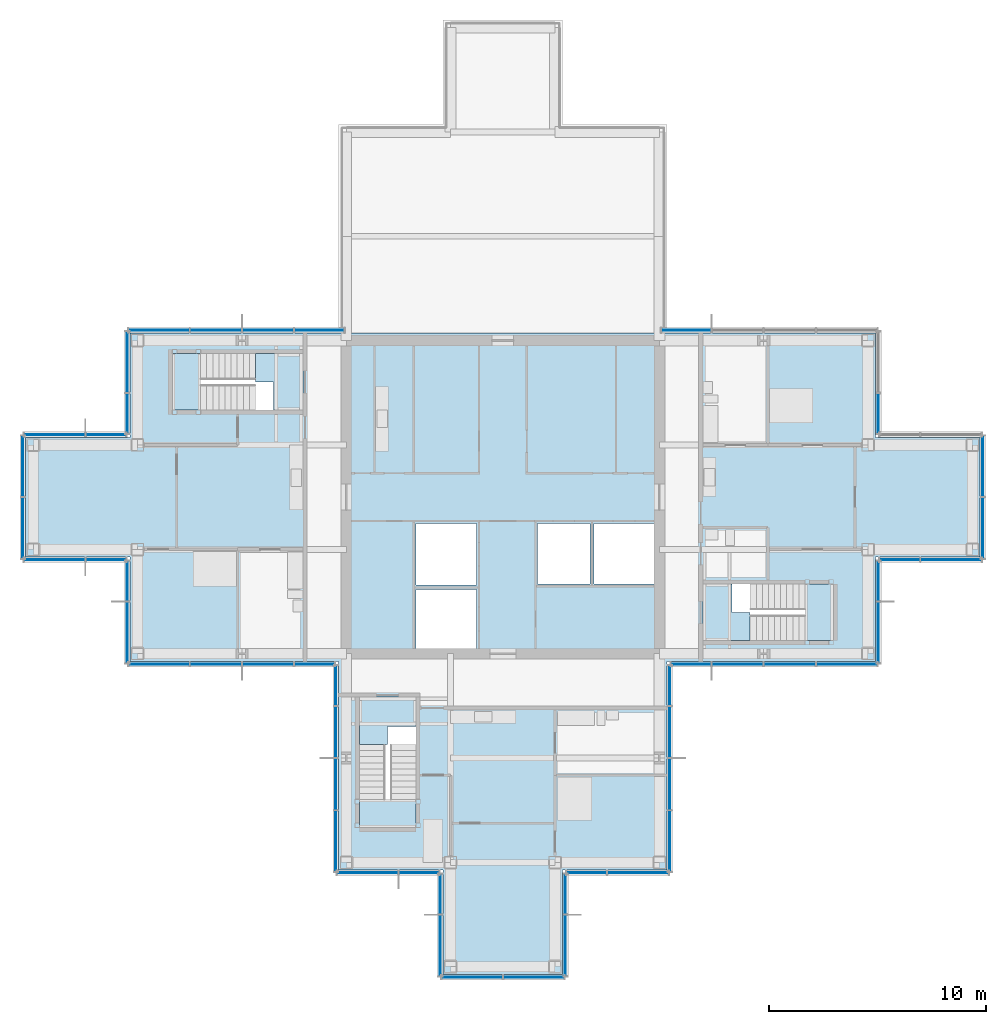
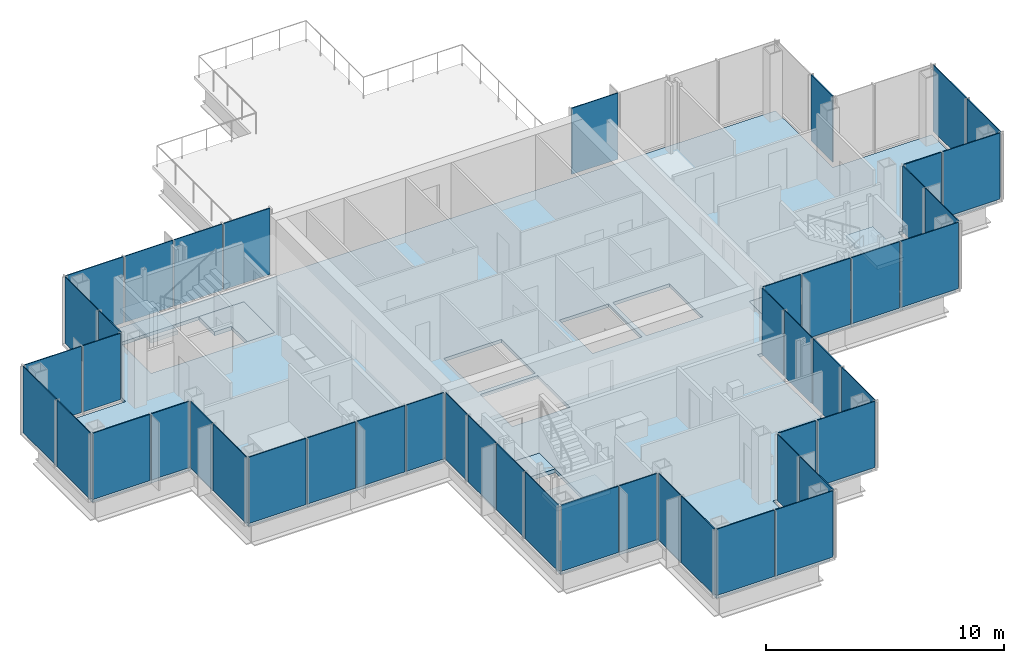
# One storey, part 8 of 14: 48 plates, 7 slabs, 23 elements without a shape of their own.
"""IFC4 building model written with IfcOpenShell, lengths in metres."""

from ifc_helpers import new_model, si_unit, direction, frame, origin, origin_2d, place, context, subcontext, project, spatial, polyline, rectangle, outline, extrude, material, layer, layer_set, type_object, element, aggregate, save


model = new_model("IFC4")

# Units and contexts
model_context = context("Model", 3, precision=1e-05, world=origin(), true_north=direction((0.0, 1.0)))
body_context = subcontext(model_context, "Body", "Model", "MODEL_VIEW")
ifc_project = project(units=[si_unit("LENGTHUNIT", "METRE"), si_unit("AREAUNIT", "SQUARE_METRE"), si_unit("VOLUMEUNIT", "CUBIC_METRE"), si_unit("PLANEANGLEUNIT", "RADIAN"), si_unit("MASSUNIT", "GRAM", prefix="KILO")], contexts=[model_context])

# Site, building, storey
site_placement = place(None, origin())
site = spatial("IfcSite", under=ifc_project, at=site_placement, CompositionType="ELEMENT")
building_placement = place(site_placement, origin())
building = spatial("IfcBuilding", under=site, at=building_placement, Name="Kvirike Care Tower", CompositionType="ELEMENT")
storey_placement = place(building_placement, frame((0.0, 0.0, 194.5)))
storey = spatial("IfcBuildingStorey", under=building, at=storey_placement, Name="L53", CompositionType="ELEMENT", Elevation=194.5)

# Slab
ifc_material_1 = material(Name="Concrete C35/45", Category="concrete")
ifc_layer_1 = layer(ifc_material_1, 0.169921875)
ifc_layer_set_1 = layer_set([ifc_layer_1], Name="FLOOR SLAB 170")
slab_type_1 = type_object("IfcSlabType", Name="FLOOR SLAB 170", PredefinedType="FLOOR", material=ifc_layer_set_1)
slab_1_placement = place(storey_placement, frame((0.0, 0.0, -0.169921875)))
element("IfcSlab", 1, at=slab_1_placement, inside=storey, type_object=slab_type_1, Name="Floor slab L53", PredefinedType="FLOOR", context=body_context, shape_type="SweptSolid", body=[
    extrude(outline(polyline([(29.14990234375, 28.449951171875), (38.75, 28.449951171875), (38.75, 33.25), (43.550048828125, 33.25), (43.550048828125, 38.75), (38.75, 38.75), (38.75, 43.550048828125), (4.449951171875, 43.550048828125), (4.449951171875, 38.75), (-0.35009765625, 38.75), (-0.35009765625, 33.25), (4.449951171875, 33.25), (4.449951171875, 28.449951171875), (14.050048828125, 28.449951171875), (14.050048828125, 18.85009765625), (18.85009765625, 18.85009765625), (18.85009765625, 14.050048828125), (24.35009765625, 14.050048828125), (24.35009765625, 18.85009765625), (29.14990234375, 18.85009765625), (29.14990234375, 28.449951171875)]), holes=[polyline([(17.60009765625, 29.050048828125), (17.60009765625, 31.75), (20.39990234375, 31.75), (20.39990234375, 29.050048828125), (17.60009765625, 29.050048828125)]), polyline([(17.60009765625, 31.949951171875), (17.60009765625, 34.800048828125), (20.39990234375, 34.800048828125), (20.39990234375, 31.949951171875), (17.60009765625, 31.949951171875)]), polyline([(23.199951171875, 32.0), (23.199951171875, 34.800048828125), (25.60009765625, 34.800048828125), (25.60009765625, 32.0), (23.199951171875, 32.0)]), polyline([(25.800048828125, 32.0), (25.800048828125, 34.800048828125), (28.550048828125, 34.800048828125), (28.550048828125, 32.0), (25.800048828125, 32.0)]), polyline([(12.39990234375, 42.60009765625), (12.39990234375, 40.0), (6.39990234375, 40.0), (6.39990234375, 42.60009765625), (12.39990234375, 42.60009765625)]), polyline([(30.800048828125, 29.39990234375), (30.800048828125, 32.0), (36.800048828125, 32.0), (36.800048828125, 29.39990234375), (30.800048828125, 29.39990234375)]), polyline([(15.0, 26.800048828125), (17.60009765625, 26.800048828125), (17.60009765625, 20.800048828125), (15.0, 20.800048828125), (15.0, 26.800048828125)])]), origin(), (0.0, 0.0, 1.0), 0.169921875),
])

# Stair, slabs
ifc_material_2 = material(Name="Concrete C35/45", Category="concrete")
stair_type = type_object("IfcStairType", Name="STAIR 20 RISERS", PredefinedType="HALF_TURN_STAIR", material=ifc_material_2)
stair_1_placement = place(storey_placement, origin())
stair_1 = element("IfcStair", 2, at=stair_1_placement, inside=storey, type_object=stair_type, Name="Stair 1 L53", PredefinedType="HALF_TURN_STAIR")
ifc_material_3 = material(Name="Concrete C35/45", Category="concrete")
ifc_layer_2 = layer(ifc_material_3, 0.199951171875)
ifc_layer_set_2 = layer_set([ifc_layer_2], Name="STAIR LANDING 200")
slab_type_2 = type_object("IfcSlabType", Name="STAIR LANDING 200", PredefinedType="LANDING", material=ifc_layer_set_2)
slab_2_placement = place(storey_placement, frame((0.0, 0.0, -0.199951171875)))
slab_2 = element("IfcSlab", 3, at=slab_2_placement, type_object=slab_type_2, Name="Stair S1 floor landing L53", PredefinedType="LANDING", context=body_context, shape_type="SweptSolid", body=[
    extrude(outline(polyline([(10.219970703125, 42.60009765625), (10.219970703125, 41.300048828125), (11.06005859375, 41.300048828125), (11.06005859375, 40.0), (12.39990234375, 40.0), (12.39990234375, 42.60009765625), (10.219970703125, 42.60009765625)])), origin(), (0.0, 0.0, 1.0), 0.199951171875),
])
slab_3_placement = place(storey_placement, frame((0.0, 0.0, 1.550048828125)))
slab_3 = element("IfcSlab", 4, at=slab_3_placement, type_object=slab_type_2, Name="Stair S1 half landing L53-L54", PredefinedType="LANDING", context=body_context, shape_type="SweptSolid", body=[
    extrude(outline(polyline([(6.39990234375, 42.60009765625), (6.39990234375, 40.0), (7.699951171875, 40.0), (7.699951171875, 42.60009765625), (6.39990234375, 42.60009765625)])), origin(), (0.0, 0.0, 1.0), 0.199951171875),
])
aggregate(stair_1, [slab_2, slab_3])

stair_2_placement = place(storey_placement, origin())
stair_2 = element("IfcStair", 5, at=stair_2_placement, inside=storey, type_object=stair_type, Name="Stair 2 L53", PredefinedType="HALF_TURN_STAIR")
slab_4_placement = place(storey_placement, frame((0.0, 0.0, -0.199951171875)))
slab_4 = element("IfcSlab", 6, at=slab_4_placement, type_object=slab_type_2, Name="Stair S2 floor landing L53", PredefinedType="LANDING", context=body_context, shape_type="SweptSolid", body=[
    extrude(outline(polyline([(32.97998046875, 29.39990234375), (32.97998046875, 30.699951171875), (32.139892578125, 30.699951171875), (32.139892578125, 32.0), (30.800048828125, 32.0), (30.800048828125, 29.39990234375), (32.97998046875, 29.39990234375)])), origin(), (0.0, 0.0, 1.0), 0.199951171875),
])
slab_5_placement = place(storey_placement, frame((0.0, 0.0, 1.550048828125)))
slab_5 = element("IfcSlab", 7, at=slab_5_placement, type_object=slab_type_2, Name="Stair S2 half landing L53-L54", PredefinedType="LANDING", context=body_context, shape_type="SweptSolid", body=[
    extrude(outline(polyline([(36.800048828125, 29.39990234375), (36.800048828125, 32.0), (35.5, 32.0), (35.5, 29.39990234375), (36.800048828125, 29.39990234375)])), origin(), (0.0, 0.0, 1.0), 0.199951171875),
])
aggregate(stair_2, [slab_4, slab_5])

stair_3_placement = place(storey_placement, origin())
stair_3 = element("IfcStair", 8, at=stair_3_placement, inside=storey, type_object=stair_type, Name="Stair 5 L53", PredefinedType="HALF_TURN_STAIR")
slab_6_placement = place(storey_placement, frame((0.0, 0.0, -0.199951171875)))
slab_6 = element("IfcSlab", 9, at=slab_6_placement, type_object=slab_type_2, Name="Stair S5 floor landing L53", PredefinedType="LANDING", context=body_context, shape_type="SweptSolid", body=[
    extrude(outline(polyline([(15.0, 24.6201171875), (16.300048828125, 24.6201171875), (16.300048828125, 25.4599609375), (17.60009765625, 25.4599609375), (17.60009765625, 26.800048828125), (15.0, 26.800048828125), (15.0, 24.6201171875)])), origin(), (0.0, 0.0, 1.0), 0.199951171875),
])
slab_7_placement = place(storey_placement, frame((0.0, 0.0, 1.550048828125)))
slab_7 = element("IfcSlab", 10, at=slab_7_placement, type_object=slab_type_2, Name="Stair S5 half landing L53-L54", PredefinedType="LANDING", context=body_context, shape_type="SweptSolid", body=[
    extrude(outline(polyline([(15.0, 20.800048828125), (17.60009765625, 20.800048828125), (17.60009765625, 22.10009765625), (15.0, 22.10009765625), (15.0, 20.800048828125)])), origin(), (0.0, 0.0, 1.0), 0.199951171875),
])
aggregate(stair_3, [slab_6, slab_7])

# Curtain wall, plates
ifc_material_4 = material(Name="Anodised aluminium stick system", Category="aluminium")
curtain_wall_type = type_object("IfcCurtainWallType", Name="CW-D STICK CURTAIN WALL", PredefinedType="NOTDEFINED", material=ifc_material_4)
curtain_wall_1_placement = place(storey_placement, origin())
curtain_wall_1 = element("IfcCurtainWall", 11, at=curtain_wall_1_placement, inside=storey, type_object=curtain_wall_type, Name="Curtain wall L53 face 1", PredefinedType="NOTDEFINED")
ifc_material_5 = material(Name="Tinted double glazed unit", Category="glass")
ifc_layer_3 = layer(ifc_material_5, 0.0439453125)
ifc_layer_set_3 = layer_set([ifc_layer_3], Name="TINTED VISION PANEL 44")
plate_type = type_object("IfcPlateType", Name="TINTED VISION PANEL 44", PredefinedType="CURTAIN_PANEL", material=ifc_layer_set_3)
plate_1_placement = place(storey_placement, frame((30.25634765625, 28.320068359375, 0.10009765625), z_axis=(0.0, 0.0, 1.0), x_axis=(1.0, 0.0, 0.0)))
plate_1 = element("IfcPlate", 12, at=plate_1_placement, type_object=plate_type, Name="CW-D panel L53 face 1.1", PredefinedType="CURTAIN_PANEL", context=body_context, shape_type="SweptSolid", body=[
    extrude(rectangle(XDim=1.822509765625, YDim=0.0439453125, at=origin_2d()), origin(), (0.0, 0.0, 1.0), 3.39990234375),
])
plate_2_placement = place(storey_placement, frame((32.39990234375, 28.320068359375, 0.10009765625), z_axis=(0.0, 0.0, 1.0), x_axis=(1.0, 0.0, 0.0)))
plate_2 = element("IfcPlate", 13, at=plate_2_placement, type_object=plate_type, Name="CW-D panel L53 face 1.2", PredefinedType="CURTAIN_PANEL", context=body_context, shape_type="SweptSolid", body=[
    extrude(rectangle(XDim=2.3349609375, YDim=0.0439453125, at=origin_2d()), origin(), (0.0, 0.0, 1.0), 3.39990234375),
])
plate_3_placement = place(storey_placement, frame((34.800048828125, 28.320068359375, 0.10009765625), z_axis=(0.0, 0.0, 1.0), x_axis=(1.0, 0.0, 0.0)))
plate_3 = element("IfcPlate", 14, at=plate_3_placement, type_object=plate_type, Name="CW-D panel L53 face 1.3", PredefinedType="CURTAIN_PANEL", context=body_context, shape_type="SweptSolid", body=[
    extrude(rectangle(XDim=2.3349609375, YDim=0.0439453125, at=origin_2d()), origin(), (0.0, 0.0, 1.0), 3.39990234375),
])
plate_4_placement = place(storey_placement, frame((37.423828125, 28.320068359375, 0.10009765625), z_axis=(0.0, 0.0, 1.0), x_axis=(1.0, 0.0, 0.0)))
plate_4 = element("IfcPlate", 15, at=plate_4_placement, type_object=plate_type, Name="CW-D panel L53 face 1.4", PredefinedType="CURTAIN_PANEL", context=body_context, shape_type="SweptSolid", body=[
    extrude(rectangle(XDim=2.782470703125, YDim=0.0439453125, at=origin_2d()), origin(), (0.0, 0.0, 1.0), 3.39990234375),
])
aggregate(curtain_wall_1, [plate_1, plate_2, plate_3, plate_4])

curtain_wall_2_placement = place(storey_placement, origin())
curtain_wall_2 = element("IfcCurtainWall", 16, at=curtain_wall_2_placement, inside=storey, type_object=curtain_wall_type, Name="Curtain wall L53 face 2", PredefinedType="NOTDEFINED")
plate_5_placement = place(storey_placement, frame((38.8798828125, 29.7763671875, 0.10009765625), z_axis=(0.0, 0.0, 1.0), x_axis=(0.0, 1.0, 0.0)))
plate_5 = element("IfcPlate", 17, at=plate_5_placement, type_object=plate_type, Name="CW-D panel L53 face 2.1", PredefinedType="CURTAIN_PANEL", context=body_context, shape_type="SweptSolid", body=[
    extrude(rectangle(XDim=2.782470703125, YDim=0.0439453125, at=origin_2d()), origin(), (0.0, 0.0, 1.0), 3.39990234375),
])
plate_6_placement = place(storey_placement, frame((38.8798828125, 32.143798828125, 0.10009765625), z_axis=(0.0, 0.0, 1.0), x_axis=(0.0, 1.0, 0.0)))
plate_6 = element("IfcPlate", 18, at=plate_6_placement, type_object=plate_type, Name="CW-D panel L53 face 2.2", PredefinedType="CURTAIN_PANEL", context=body_context, shape_type="SweptSolid", body=[
    extrude(rectangle(XDim=1.822509765625, YDim=0.0439453125, at=origin_2d()), origin(), (0.0, 0.0, 1.0), 3.39990234375),
])
aggregate(curtain_wall_2, [plate_5, plate_6])

curtain_wall_3_placement = place(storey_placement, origin())
curtain_wall_3 = element("IfcCurtainWall", 19, at=curtain_wall_3_placement, inside=storey, type_object=curtain_wall_type, Name="Curtain wall L53 face 3", PredefinedType="NOTDEFINED")
plate_7_placement = place(storey_placement, frame((39.856201171875, 33.1201171875, 0.10009765625), z_axis=(0.0, 0.0, 1.0), x_axis=(1.0, 0.0, 0.0)))
plate_7 = element("IfcPlate", 20, at=plate_7_placement, type_object=plate_type, Name="CW-D panel L53 face 3.1", PredefinedType="CURTAIN_PANEL", context=body_context, shape_type="SweptSolid", body=[
    extrude(rectangle(XDim=1.822509765625, YDim=0.0439453125, at=origin_2d()), origin(), (0.0, 0.0, 1.0), 3.39990234375),
])
plate_8_placement = place(storey_placement, frame((42.2236328125, 33.1201171875, 0.10009765625), z_axis=(0.0, 0.0, 1.0), x_axis=(1.0, 0.0, 0.0)))
plate_8 = element("IfcPlate", 21, at=plate_8_placement, type_object=plate_type, Name="CW-D panel L53 face 3.2", PredefinedType="CURTAIN_PANEL", context=body_context, shape_type="SweptSolid", body=[
    extrude(rectangle(XDim=2.782470703125, YDim=0.0439453125, at=origin_2d()), origin(), (0.0, 0.0, 1.0), 3.39990234375),
])
aggregate(curtain_wall_3, [plate_7, plate_8])

curtain_wall_4_placement = place(storey_placement, origin())
curtain_wall_4 = element("IfcCurtainWall", 22, at=curtain_wall_4_placement, inside=storey, type_object=curtain_wall_type, Name="Curtain wall L53 face 4", PredefinedType="NOTDEFINED")
plate_9_placement = place(storey_placement, frame((43.679931640625, 34.576171875, 0.10009765625), z_axis=(0.0, 0.0, 1.0), x_axis=(0.0, 1.0, 0.0)))
plate_9 = element("IfcPlate", 23, at=plate_9_placement, type_object=plate_type, Name="CW-D panel L53 face 4.1", PredefinedType="CURTAIN_PANEL", context=body_context, shape_type="SweptSolid", body=[
    extrude(rectangle(XDim=2.782470703125, YDim=0.0439453125, at=origin_2d()), origin(), (0.0, 0.0, 1.0), 3.39990234375),
])
plate_10_placement = place(storey_placement, frame((43.679931640625, 37.423828125, 0.10009765625), z_axis=(0.0, 0.0, 1.0), x_axis=(0.0, 1.0, 0.0)))
plate_10 = element("IfcPlate", 24, at=plate_10_placement, type_object=plate_type, Name="CW-D panel L53 face 4.2", PredefinedType="CURTAIN_PANEL", context=body_context, shape_type="SweptSolid", body=[
    extrude(rectangle(XDim=2.782470703125, YDim=0.0439453125, at=origin_2d()), origin(), (0.0, 0.0, 1.0), 3.39990234375),
])
aggregate(curtain_wall_4, [plate_9, plate_10])

# Curtain wall, plate
curtain_wall_5_placement = place(storey_placement, origin())
curtain_wall_5 = element("IfcCurtainWall", 25, at=curtain_wall_5_placement, inside=storey, type_object=curtain_wall_type, Name="Curtain wall L53 face 6", PredefinedType="NOTDEFINED")
plate_11_placement = place(storey_placement, frame((38.8798828125, 39.856201171875, 0.10009765625), z_axis=(0.0, 0.0, 1.0), x_axis=(0.0, 1.0, 0.0)))
plate_11 = element("IfcPlate", 26, at=plate_11_placement, type_object=plate_type, Name="CW-D panel L53 face 6.1", PredefinedType="CURTAIN_PANEL", context=body_context, shape_type="SweptSolid", body=[
    extrude(rectangle(XDim=1.822509765625, YDim=0.0439453125, at=origin_2d()), origin(), (0.0, 0.0, 1.0), 3.39990234375),
])
aggregate(curtain_wall_5, [plate_11])

curtain_wall_6_placement = place(storey_placement, origin())
curtain_wall_6 = element("IfcCurtainWall", 27, at=curtain_wall_6_placement, inside=storey, type_object=curtain_wall_type, Name="Curtain wall L53 face 7", PredefinedType="NOTDEFINED")
plate_12_placement = place(storey_placement, frame((30.041259765625, 43.679931640625, 0.10009765625), z_axis=(0.0, 0.0, 1.0), x_axis=(-1.0, 0.0, 0.0)))
plate_12 = element("IfcPlate", 28, at=plate_12_placement, type_object=plate_type, Name="CW-D panel L53 face 7.4", PredefinedType="CURTAIN_PANEL", context=body_context, shape_type="SweptSolid", body=[
    extrude(rectangle(XDim=2.25244140625, YDim=0.0439453125, at=origin_2d()), origin(), (0.0, 0.0, 1.0), 3.39990234375),
])
aggregate(curtain_wall_6, [plate_12])

# Curtain wall, plates
curtain_wall_7_placement = place(storey_placement, origin())
curtain_wall_7 = element("IfcCurtainWall", 29, at=curtain_wall_7_placement, inside=storey, type_object=curtain_wall_type, Name="Curtain wall L53 face 9", PredefinedType="NOTDEFINED")
plate_13_placement = place(storey_placement, frame((13.15869140625, 43.679931640625, 0.10009765625), z_axis=(0.0, 0.0, 1.0), x_axis=(-1.0, 0.0, 0.0)))
plate_13 = element("IfcPlate", 30, at=plate_13_placement, type_object=plate_type, Name="CW-D panel L53 face 9.1", PredefinedType="CURTAIN_PANEL", context=body_context, shape_type="SweptSolid", body=[
    extrude(rectangle(XDim=2.25244140625, YDim=0.0439453125, at=origin_2d()), origin(), (0.0, 0.0, 1.0), 3.39990234375),
])
plate_14_placement = place(storey_placement, frame((10.800048828125, 43.679931640625, 0.10009765625), z_axis=(0.0, 0.0, 1.0), x_axis=(-1.0, 0.0, 0.0)))
plate_14 = element("IfcPlate", 31, at=plate_14_placement, type_object=plate_type, Name="CW-D panel L53 face 9.2", PredefinedType="CURTAIN_PANEL", context=body_context, shape_type="SweptSolid", body=[
    extrude(rectangle(XDim=2.3349609375, YDim=0.0439453125, at=origin_2d()), origin(), (0.0, 0.0, 1.0), 3.39990234375),
])
plate_15_placement = place(storey_placement, frame((8.39990234375, 43.679931640625, 0.10009765625), z_axis=(0.0, 0.0, 1.0), x_axis=(-1.0, 0.0, 0.0)))
plate_15 = element("IfcPlate", 32, at=plate_15_placement, type_object=plate_type, Name="CW-D panel L53 face 9.3", PredefinedType="CURTAIN_PANEL", context=body_context, shape_type="SweptSolid", body=[
    extrude(rectangle(XDim=2.3349609375, YDim=0.0439453125, at=origin_2d()), origin(), (0.0, 0.0, 1.0), 3.39990234375),
])
plate_16_placement = place(storey_placement, frame((5.7763671875, 43.679931640625, 0.10009765625), z_axis=(0.0, 0.0, 1.0), x_axis=(-1.0, 0.0, 0.0)))
plate_16 = element("IfcPlate", 33, at=plate_16_placement, type_object=plate_type, Name="CW-D panel L53 face 9.4", PredefinedType="CURTAIN_PANEL", context=body_context, shape_type="SweptSolid", body=[
    extrude(rectangle(XDim=2.782470703125, YDim=0.0439453125, at=origin_2d()), origin(), (0.0, 0.0, 1.0), 3.39990234375),
])
aggregate(curtain_wall_7, [plate_13, plate_14, plate_15, plate_16])

curtain_wall_8_placement = place(storey_placement, origin())
curtain_wall_8 = element("IfcCurtainWall", 34, at=curtain_wall_8_placement, inside=storey, type_object=curtain_wall_type, Name="Curtain wall L53 face 10", PredefinedType="NOTDEFINED")
plate_17_placement = place(storey_placement, frame((4.320068359375, 42.2236328125, 0.10009765625), z_axis=(0.0, 0.0, 1.0), x_axis=(0.0, -1.0, 0.0)))
plate_17 = element("IfcPlate", 35, at=plate_17_placement, type_object=plate_type, Name="CW-D panel L53 face 10.1", PredefinedType="CURTAIN_PANEL", context=body_context, shape_type="SweptSolid", body=[
    extrude(rectangle(XDim=2.782470703125, YDim=0.0439453125, at=origin_2d()), origin(), (0.0, 0.0, 1.0), 3.39990234375),
])
plate_18_placement = place(storey_placement, frame((4.320068359375, 39.856201171875, 0.10009765625), z_axis=(0.0, 0.0, 1.0), x_axis=(0.0, -1.0, 0.0)))
plate_18 = element("IfcPlate", 36, at=plate_18_placement, type_object=plate_type, Name="CW-D panel L53 face 10.2", PredefinedType="CURTAIN_PANEL", context=body_context, shape_type="SweptSolid", body=[
    extrude(rectangle(XDim=1.822509765625, YDim=0.0439453125, at=origin_2d()), origin(), (0.0, 0.0, 1.0), 3.39990234375),
])
aggregate(curtain_wall_8, [plate_17, plate_18])

curtain_wall_9_placement = place(storey_placement, origin())
curtain_wall_9 = element("IfcCurtainWall", 37, at=curtain_wall_9_placement, inside=storey, type_object=curtain_wall_type, Name="Curtain wall L53 face 11", PredefinedType="NOTDEFINED")
plate_19_placement = place(storey_placement, frame((3.34375, 38.8798828125, 0.10009765625), z_axis=(0.0, 0.0, 1.0), x_axis=(-1.0, 0.0, 0.0)))
plate_19 = element("IfcPlate", 38, at=plate_19_placement, type_object=plate_type, Name="CW-D panel L53 face 11.1", PredefinedType="CURTAIN_PANEL", context=body_context, shape_type="SweptSolid", body=[
    extrude(rectangle(XDim=1.822509765625, YDim=0.0439453125, at=origin_2d()), origin(), (0.0, 0.0, 1.0), 3.39990234375),
])
plate_20_placement = place(storey_placement, frame((0.976318359375, 38.8798828125, 0.10009765625), z_axis=(0.0, 0.0, 1.0), x_axis=(-1.0, 0.0, 0.0)))
plate_20 = element("IfcPlate", 39, at=plate_20_placement, type_object=plate_type, Name="CW-D panel L53 face 11.2", PredefinedType="CURTAIN_PANEL", context=body_context, shape_type="SweptSolid", body=[
    extrude(rectangle(XDim=2.782470703125, YDim=0.0439453125, at=origin_2d()), origin(), (0.0, 0.0, 1.0), 3.39990234375),
])
aggregate(curtain_wall_9, [plate_19, plate_20])

curtain_wall_10_placement = place(storey_placement, origin())
curtain_wall_10 = element("IfcCurtainWall", 40, at=curtain_wall_10_placement, inside=storey, type_object=curtain_wall_type, Name="Curtain wall L53 face 12", PredefinedType="NOTDEFINED")
plate_21_placement = place(storey_placement, frame((-0.47998046875, 37.423828125, 0.10009765625), z_axis=(0.0, 0.0, 1.0), x_axis=(0.0, -1.0, 0.0)))
plate_21 = element("IfcPlate", 41, at=plate_21_placement, type_object=plate_type, Name="CW-D panel L53 face 12.1", PredefinedType="CURTAIN_PANEL", context=body_context, shape_type="SweptSolid", body=[
    extrude(rectangle(XDim=2.782470703125, YDim=0.0439453125, at=origin_2d()), origin(), (0.0, 0.0, 1.0), 3.39990234375),
])
plate_22_placement = place(storey_placement, frame((-0.47998046875, 34.576171875, 0.10009765625), z_axis=(0.0, 0.0, 1.0), x_axis=(0.0, -1.0, 0.0)))
plate_22 = element("IfcPlate", 42, at=plate_22_placement, type_object=plate_type, Name="CW-D panel L53 face 12.2", PredefinedType="CURTAIN_PANEL", context=body_context, shape_type="SweptSolid", body=[
    extrude(rectangle(XDim=2.782470703125, YDim=0.0439453125, at=origin_2d()), origin(), (0.0, 0.0, 1.0), 3.39990234375),
])
aggregate(curtain_wall_10, [plate_21, plate_22])

curtain_wall_11_placement = place(storey_placement, origin())
curtain_wall_11 = element("IfcCurtainWall", 43, at=curtain_wall_11_placement, inside=storey, type_object=curtain_wall_type, Name="Curtain wall L53 face 13", PredefinedType="NOTDEFINED")
plate_23_placement = place(storey_placement, frame((0.976318359375, 33.1201171875, 0.10009765625), z_axis=(0.0, 0.0, 1.0), x_axis=(1.0, 0.0, 0.0)))
plate_23 = element("IfcPlate", 44, at=plate_23_placement, type_object=plate_type, Name="CW-D panel L53 face 13.1", PredefinedType="CURTAIN_PANEL", context=body_context, shape_type="SweptSolid", body=[
    extrude(rectangle(XDim=2.782470703125, YDim=0.0439453125, at=origin_2d()), origin(), (0.0, 0.0, 1.0), 3.39990234375),
])
plate_24_placement = place(storey_placement, frame((3.34375, 33.1201171875, 0.10009765625), z_axis=(0.0, 0.0, 1.0), x_axis=(1.0, 0.0, 0.0)))
plate_24 = element("IfcPlate", 45, at=plate_24_placement, type_object=plate_type, Name="CW-D panel L53 face 13.2", PredefinedType="CURTAIN_PANEL", context=body_context, shape_type="SweptSolid", body=[
    extrude(rectangle(XDim=1.822509765625, YDim=0.0439453125, at=origin_2d()), origin(), (0.0, 0.0, 1.0), 3.39990234375),
])
aggregate(curtain_wall_11, [plate_23, plate_24])

curtain_wall_12_placement = place(storey_placement, origin())
curtain_wall_12 = element("IfcCurtainWall", 46, at=curtain_wall_12_placement, inside=storey, type_object=curtain_wall_type, Name="Curtain wall L53 face 14", PredefinedType="NOTDEFINED")
plate_25_placement = place(storey_placement, frame((4.320068359375, 32.143798828125, 0.10009765625), z_axis=(0.0, 0.0, 1.0), x_axis=(0.0, -1.0, 0.0)))
plate_25 = element("IfcPlate", 47, at=plate_25_placement, type_object=plate_type, Name="CW-D panel L53 face 14.1", PredefinedType="CURTAIN_PANEL", context=body_context, shape_type="SweptSolid", body=[
    extrude(rectangle(XDim=1.822509765625, YDim=0.0439453125, at=origin_2d()), origin(), (0.0, 0.0, 1.0), 3.39990234375),
])
plate_26_placement = place(storey_placement, frame((4.320068359375, 29.7763671875, 0.10009765625), z_axis=(0.0, 0.0, 1.0), x_axis=(0.0, -1.0, 0.0)))
plate_26 = element("IfcPlate", 48, at=plate_26_placement, type_object=plate_type, Name="CW-D panel L53 face 14.2", PredefinedType="CURTAIN_PANEL", context=body_context, shape_type="SweptSolid", body=[
    extrude(rectangle(XDim=2.782470703125, YDim=0.0439453125, at=origin_2d()), origin(), (0.0, 0.0, 1.0), 3.39990234375),
])
aggregate(curtain_wall_12, [plate_25, plate_26])

curtain_wall_13_placement = place(storey_placement, origin())
curtain_wall_13 = element("IfcCurtainWall", 49, at=curtain_wall_13_placement, inside=storey, type_object=curtain_wall_type, Name="Curtain wall L53 face 15", PredefinedType="NOTDEFINED")
plate_27_placement = place(storey_placement, frame((5.7763671875, 28.320068359375, 0.10009765625), z_axis=(0.0, 0.0, 1.0), x_axis=(1.0, 0.0, 0.0)))
plate_27 = element("IfcPlate", 50, at=plate_27_placement, type_object=plate_type, Name="CW-D panel L53 face 15.1", PredefinedType="CURTAIN_PANEL", context=body_context, shape_type="SweptSolid", body=[
    extrude(rectangle(XDim=2.782470703125, YDim=0.0439453125, at=origin_2d()), origin(), (0.0, 0.0, 1.0), 3.39990234375),
])
plate_28_placement = place(storey_placement, frame((8.39990234375, 28.320068359375, 0.10009765625), z_axis=(0.0, 0.0, 1.0), x_axis=(1.0, 0.0, 0.0)))
plate_28 = element("IfcPlate", 51, at=plate_28_placement, type_object=plate_type, Name="CW-D panel L53 face 15.2", PredefinedType="CURTAIN_PANEL", context=body_context, shape_type="SweptSolid", body=[
    extrude(rectangle(XDim=2.3349609375, YDim=0.0439453125, at=origin_2d()), origin(), (0.0, 0.0, 1.0), 3.39990234375),
])
plate_29_placement = place(storey_placement, frame((10.800048828125, 28.320068359375, 0.10009765625), z_axis=(0.0, 0.0, 1.0), x_axis=(1.0, 0.0, 0.0)))
plate_29 = element("IfcPlate", 52, at=plate_29_placement, type_object=plate_type, Name="CW-D panel L53 face 15.3", PredefinedType="CURTAIN_PANEL", context=body_context, shape_type="SweptSolid", body=[
    extrude(rectangle(XDim=2.3349609375, YDim=0.0439453125, at=origin_2d()), origin(), (0.0, 0.0, 1.0), 3.39990234375),
])
plate_30_placement = place(storey_placement, frame((12.94384765625, 28.320068359375, 0.10009765625), z_axis=(0.0, 0.0, 1.0), x_axis=(1.0, 0.0, 0.0)))
plate_30 = element("IfcPlate", 53, at=plate_30_placement, type_object=plate_type, Name="CW-D panel L53 face 15.4", PredefinedType="CURTAIN_PANEL", context=body_context, shape_type="SweptSolid", body=[
    extrude(rectangle(XDim=1.822509765625, YDim=0.0439453125, at=origin_2d()), origin(), (0.0, 0.0, 1.0), 3.39990234375),
])
aggregate(curtain_wall_13, [plate_27, plate_28, plate_29, plate_30])

curtain_wall_14_placement = place(storey_placement, origin())
curtain_wall_14 = element("IfcCurtainWall", 54, at=curtain_wall_14_placement, inside=storey, type_object=curtain_wall_type, Name="Curtain wall L53 face 16", PredefinedType="NOTDEFINED")
plate_31_placement = place(storey_placement, frame((13.919921875, 27.34375, 0.10009765625), z_axis=(0.0, 0.0, 1.0), x_axis=(0.0, -1.0, 0.0)))
plate_31 = element("IfcPlate", 55, at=plate_31_placement, type_object=plate_type, Name="CW-D panel L53 face 16.1", PredefinedType="CURTAIN_PANEL", context=body_context, shape_type="SweptSolid", body=[
    extrude(rectangle(XDim=1.822509765625, YDim=0.0439453125, at=origin_2d()), origin(), (0.0, 0.0, 1.0), 3.39990234375),
])
plate_32_placement = place(storey_placement, frame((13.919921875, 25.199951171875, 0.10009765625), z_axis=(0.0, 0.0, 1.0), x_axis=(0.0, -1.0, 0.0)))
plate_32 = element("IfcPlate", 56, at=plate_32_placement, type_object=plate_type, Name="CW-D panel L53 face 16.2", PredefinedType="CURTAIN_PANEL", context=body_context, shape_type="SweptSolid", body=[
    extrude(rectangle(XDim=2.3349609375, YDim=0.0439453125, at=origin_2d()), origin(), (0.0, 0.0, 1.0), 3.39990234375),
])
plate_33_placement = place(storey_placement, frame((13.919921875, 22.800048828125, 0.10009765625), z_axis=(0.0, 0.0, 1.0), x_axis=(0.0, -1.0, 0.0)))
plate_33 = element("IfcPlate", 57, at=plate_33_placement, type_object=plate_type, Name="CW-D panel L53 face 16.3", PredefinedType="CURTAIN_PANEL", context=body_context, shape_type="SweptSolid", body=[
    extrude(rectangle(XDim=2.3349609375, YDim=0.0439453125, at=origin_2d()), origin(), (0.0, 0.0, 1.0), 3.39990234375),
])
plate_34_placement = place(storey_placement, frame((13.919921875, 20.17626953125, 0.10009765625), z_axis=(0.0, 0.0, 1.0), x_axis=(0.0, -1.0, 0.0)))
plate_34 = element("IfcPlate", 58, at=plate_34_placement, type_object=plate_type, Name="CW-D panel L53 face 16.4", PredefinedType="CURTAIN_PANEL", context=body_context, shape_type="SweptSolid", body=[
    extrude(rectangle(XDim=2.782470703125, YDim=0.0439453125, at=origin_2d()), origin(), (0.0, 0.0, 1.0), 3.39990234375),
])
aggregate(curtain_wall_14, [plate_31, plate_32, plate_33, plate_34])

curtain_wall_15_placement = place(storey_placement, origin())
curtain_wall_15 = element("IfcCurtainWall", 59, at=curtain_wall_15_placement, inside=storey, type_object=curtain_wall_type, Name="Curtain wall L53 face 17", PredefinedType="NOTDEFINED")
plate_35_placement = place(storey_placement, frame((15.376220703125, 18.719970703125, 0.10009765625), z_axis=(0.0, 0.0, 1.0), x_axis=(1.0, 0.0, 0.0)))
plate_35 = element("IfcPlate", 60, at=plate_35_placement, type_object=plate_type, Name="CW-D panel L53 face 17.1", PredefinedType="CURTAIN_PANEL", context=body_context, shape_type="SweptSolid", body=[
    extrude(rectangle(XDim=2.782470703125, YDim=0.0439453125, at=origin_2d()), origin(), (0.0, 0.0, 1.0), 3.39990234375),
])
plate_36_placement = place(storey_placement, frame((17.74365234375, 18.719970703125, 0.10009765625), z_axis=(0.0, 0.0, 1.0), x_axis=(1.0, 0.0, 0.0)))
plate_36 = element("IfcPlate", 61, at=plate_36_placement, type_object=plate_type, Name="CW-D panel L53 face 17.2", PredefinedType="CURTAIN_PANEL", context=body_context, shape_type="SweptSolid", body=[
    extrude(rectangle(XDim=1.822509765625, YDim=0.0439453125, at=origin_2d()), origin(), (0.0, 0.0, 1.0), 3.39990234375),
])
aggregate(curtain_wall_15, [plate_35, plate_36])

curtain_wall_16_placement = place(storey_placement, origin())
curtain_wall_16 = element("IfcCurtainWall", 62, at=curtain_wall_16_placement, inside=storey, type_object=curtain_wall_type, Name="Curtain wall L53 face 18", PredefinedType="NOTDEFINED")
plate_37_placement = place(storey_placement, frame((18.719970703125, 17.74365234375, 0.10009765625), z_axis=(0.0, 0.0, 1.0), x_axis=(0.0, -1.0, 0.0)))
plate_37 = element("IfcPlate", 63, at=plate_37_placement, type_object=plate_type, Name="CW-D panel L53 face 18.1", PredefinedType="CURTAIN_PANEL", context=body_context, shape_type="SweptSolid", body=[
    extrude(rectangle(XDim=1.822509765625, YDim=0.0439453125, at=origin_2d()), origin(), (0.0, 0.0, 1.0), 3.39990234375),
])
plate_38_placement = place(storey_placement, frame((18.719970703125, 15.376220703125, 0.10009765625), z_axis=(0.0, 0.0, 1.0), x_axis=(0.0, -1.0, 0.0)))
plate_38 = element("IfcPlate", 64, at=plate_38_placement, type_object=plate_type, Name="CW-D panel L53 face 18.2", PredefinedType="CURTAIN_PANEL", context=body_context, shape_type="SweptSolid", body=[
    extrude(rectangle(XDim=2.782470703125, YDim=0.0439453125, at=origin_2d()), origin(), (0.0, 0.0, 1.0), 3.39990234375),
])
aggregate(curtain_wall_16, [plate_37, plate_38])

curtain_wall_17_placement = place(storey_placement, origin())
curtain_wall_17 = element("IfcCurtainWall", 65, at=curtain_wall_17_placement, inside=storey, type_object=curtain_wall_type, Name="Curtain wall L53 face 19", PredefinedType="NOTDEFINED")
plate_39_placement = place(storey_placement, frame((20.17626953125, 13.919921875, 0.10009765625), z_axis=(0.0, 0.0, 1.0), x_axis=(1.0, 0.0, 0.0)))
plate_39 = element("IfcPlate", 66, at=plate_39_placement, type_object=plate_type, Name="CW-D panel L53 face 19.1", PredefinedType="CURTAIN_PANEL", context=body_context, shape_type="SweptSolid", body=[
    extrude(rectangle(XDim=2.782470703125, YDim=0.0439453125, at=origin_2d()), origin(), (0.0, 0.0, 1.0), 3.39990234375),
])
plate_40_placement = place(storey_placement, frame((23.023681640625, 13.919921875, 0.10009765625), z_axis=(0.0, 0.0, 1.0), x_axis=(1.0, 0.0, 0.0)))
plate_40 = element("IfcPlate", 67, at=plate_40_placement, type_object=plate_type, Name="CW-D panel L53 face 19.2", PredefinedType="CURTAIN_PANEL", context=body_context, shape_type="SweptSolid", body=[
    extrude(rectangle(XDim=2.782470703125, YDim=0.0439453125, at=origin_2d()), origin(), (0.0, 0.0, 1.0), 3.39990234375),
])
aggregate(curtain_wall_17, [plate_39, plate_40])

curtain_wall_18_placement = place(storey_placement, origin())
curtain_wall_18 = element("IfcCurtainWall", 68, at=curtain_wall_18_placement, inside=storey, type_object=curtain_wall_type, Name="Curtain wall L53 face 20", PredefinedType="NOTDEFINED")
plate_41_placement = place(storey_placement, frame((24.47998046875, 15.376220703125, 0.10009765625), z_axis=(0.0, 0.0, 1.0), x_axis=(0.0, 1.0, 0.0)))
plate_41 = element("IfcPlate", 69, at=plate_41_placement, type_object=plate_type, Name="CW-D panel L53 face 20.1", PredefinedType="CURTAIN_PANEL", context=body_context, shape_type="SweptSolid", body=[
    extrude(rectangle(XDim=2.782470703125, YDim=0.0439453125, at=origin_2d()), origin(), (0.0, 0.0, 1.0), 3.39990234375),
])
plate_42_placement = place(storey_placement, frame((24.47998046875, 17.74365234375, 0.10009765625), z_axis=(0.0, 0.0, 1.0), x_axis=(0.0, 1.0, 0.0)))
plate_42 = element("IfcPlate", 70, at=plate_42_placement, type_object=plate_type, Name="CW-D panel L53 face 20.2", PredefinedType="CURTAIN_PANEL", context=body_context, shape_type="SweptSolid", body=[
    extrude(rectangle(XDim=1.822509765625, YDim=0.0439453125, at=origin_2d()), origin(), (0.0, 0.0, 1.0), 3.39990234375),
])
aggregate(curtain_wall_18, [plate_41, plate_42])

curtain_wall_19_placement = place(storey_placement, origin())
curtain_wall_19 = element("IfcCurtainWall", 71, at=curtain_wall_19_placement, inside=storey, type_object=curtain_wall_type, Name="Curtain wall L53 face 21", PredefinedType="NOTDEFINED")
plate_43_placement = place(storey_placement, frame((25.456298828125, 18.719970703125, 0.10009765625), z_axis=(0.0, 0.0, 1.0), x_axis=(1.0, 0.0, 0.0)))
plate_43 = element("IfcPlate", 72, at=plate_43_placement, type_object=plate_type, Name="CW-D panel L53 face 21.1", PredefinedType="CURTAIN_PANEL", context=body_context, shape_type="SweptSolid", body=[
    extrude(rectangle(XDim=1.822509765625, YDim=0.0439453125, at=origin_2d()), origin(), (0.0, 0.0, 1.0), 3.39990234375),
])
plate_44_placement = place(storey_placement, frame((27.82373046875, 18.719970703125, 0.10009765625), z_axis=(0.0, 0.0, 1.0), x_axis=(1.0, 0.0, 0.0)))
plate_44 = element("IfcPlate", 73, at=plate_44_placement, type_object=plate_type, Name="CW-D panel L53 face 21.2", PredefinedType="CURTAIN_PANEL", context=body_context, shape_type="SweptSolid", body=[
    extrude(rectangle(XDim=2.782470703125, YDim=0.0439453125, at=origin_2d()), origin(), (0.0, 0.0, 1.0), 3.39990234375),
])
aggregate(curtain_wall_19, [plate_43, plate_44])

curtain_wall_20_placement = place(storey_placement, origin())
curtain_wall_20 = element("IfcCurtainWall", 74, at=curtain_wall_20_placement, inside=storey, type_object=curtain_wall_type, Name="Curtain wall L53 face 22", PredefinedType="NOTDEFINED")
plate_45_placement = place(storey_placement, frame((29.280029296875, 20.17626953125, 0.10009765625), z_axis=(0.0, 0.0, 1.0), x_axis=(0.0, 1.0, 0.0)))
plate_45 = element("IfcPlate", 75, at=plate_45_placement, type_object=plate_type, Name="CW-D panel L53 face 22.1", PredefinedType="CURTAIN_PANEL", context=body_context, shape_type="SweptSolid", body=[
    extrude(rectangle(XDim=2.782470703125, YDim=0.0439453125, at=origin_2d()), origin(), (0.0, 0.0, 1.0), 3.39990234375),
])
plate_46_placement = place(storey_placement, frame((29.280029296875, 22.800048828125, 0.10009765625), z_axis=(0.0, 0.0, 1.0), x_axis=(0.0, 1.0, 0.0)))
plate_46 = element("IfcPlate", 76, at=plate_46_placement, type_object=plate_type, Name="CW-D panel L53 face 22.2", PredefinedType="CURTAIN_PANEL", context=body_context, shape_type="SweptSolid", body=[
    extrude(rectangle(XDim=2.3349609375, YDim=0.0439453125, at=origin_2d()), origin(), (0.0, 0.0, 1.0), 3.39990234375),
])
plate_47_placement = place(storey_placement, frame((29.280029296875, 25.199951171875, 0.10009765625), z_axis=(0.0, 0.0, 1.0), x_axis=(0.0, 1.0, 0.0)))
plate_47 = element("IfcPlate", 77, at=plate_47_placement, type_object=plate_type, Name="CW-D panel L53 face 22.3", PredefinedType="CURTAIN_PANEL", context=body_context, shape_type="SweptSolid", body=[
    extrude(rectangle(XDim=2.3349609375, YDim=0.0439453125, at=origin_2d()), origin(), (0.0, 0.0, 1.0), 3.39990234375),
])
plate_48_placement = place(storey_placement, frame((29.280029296875, 27.34375, 0.10009765625), z_axis=(0.0, 0.0, 1.0), x_axis=(0.0, 1.0, 0.0)))
plate_48 = element("IfcPlate", 78, at=plate_48_placement, type_object=plate_type, Name="CW-D panel L53 face 22.4", PredefinedType="CURTAIN_PANEL", context=body_context, shape_type="SweptSolid", body=[
    extrude(rectangle(XDim=1.822509765625, YDim=0.0439453125, at=origin_2d()), origin(), (0.0, 0.0, 1.0), 3.39990234375),
])
aggregate(curtain_wall_20, [plate_45, plate_46, plate_47, plate_48])

save(model, "model.ifc")
